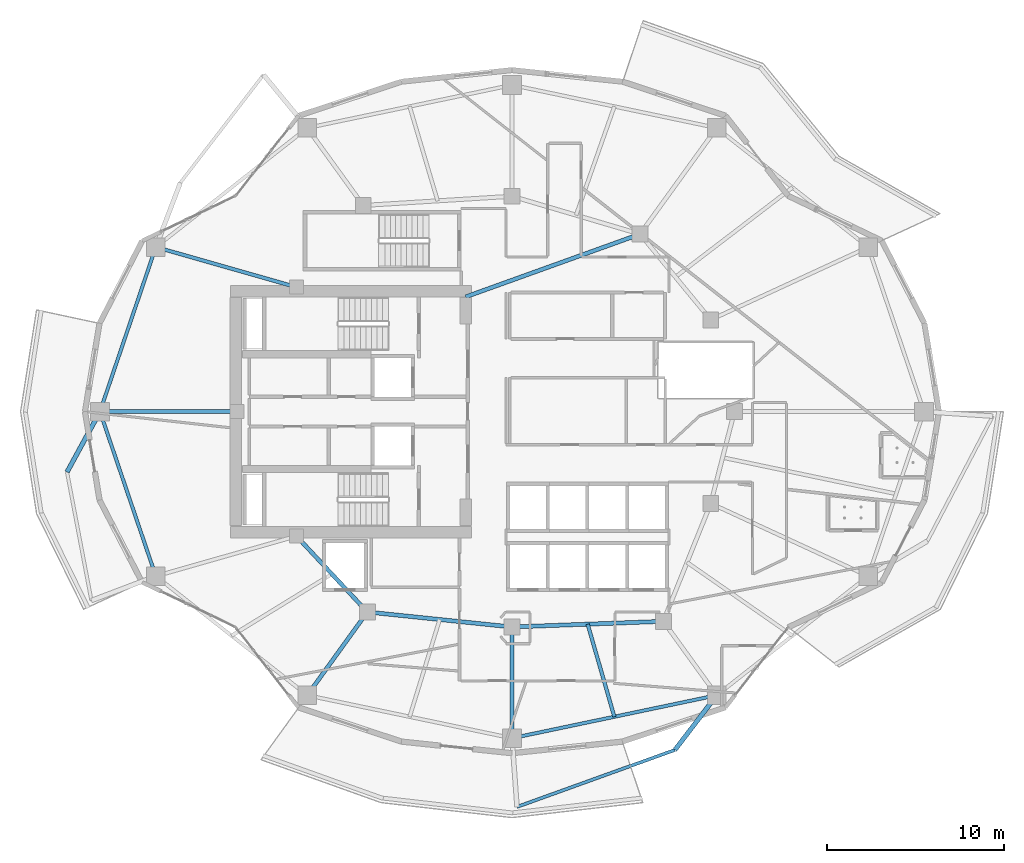
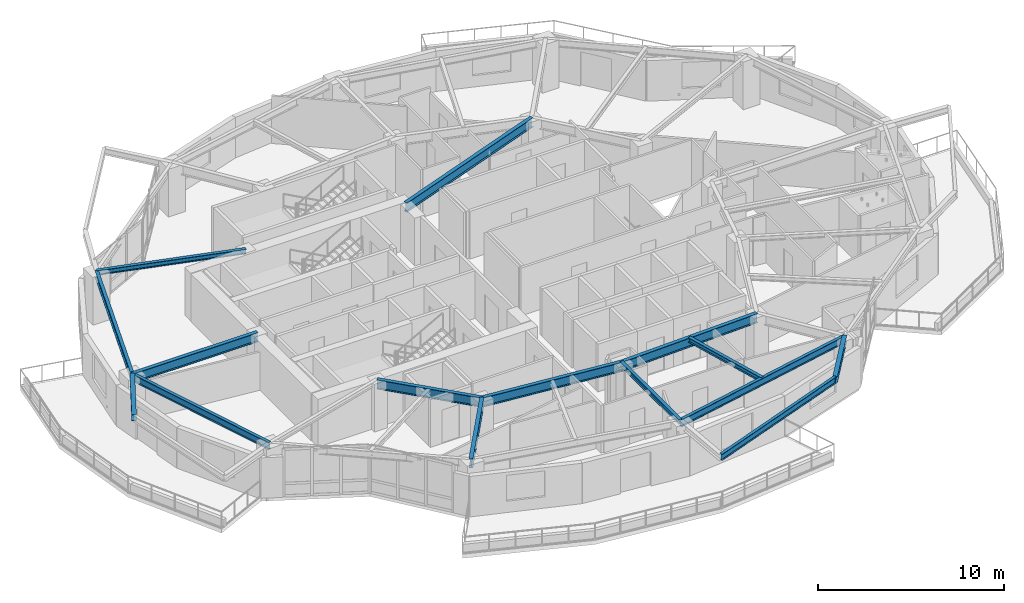
# One storey, part 3 of 18: 15 beams.
"""IFC4 building model written with IfcOpenShell, lengths in metres."""

from ifc_helpers import new_model, si_unit, direction, frame, origin, origin_2d, place, context, subcontext, project, spatial, i_section, extrude, material, material_profile, profile_set, type_object, element, save


model = new_model("IFC4")

# Units and contexts
model_context = context("Model", 3, precision=1e-05, world=origin(), true_north=direction((0.0, 1.0)))
body_context = subcontext(model_context, "Body", "Model", "MODEL_VIEW")
ifc_project = project(units=[si_unit("LENGTHUNIT", "METRE"), si_unit("AREAUNIT", "SQUARE_METRE"), si_unit("VOLUMEUNIT", "CUBIC_METRE"), si_unit("PLANEANGLEUNIT", "RADIAN"), si_unit("MASSUNIT", "GRAM", prefix="KILO")], contexts=[model_context])

# Site, building, storey
site_placement = place(None, origin())
site = spatial("IfcSite", under=ifc_project, at=site_placement, CompositionType="ELEMENT")
building_placement = place(site_placement, origin())
building = spatial("IfcBuilding", under=site, at=building_placement, Name="Kolvaren Gate Tower and Convention Centre", CompositionType="ELEMENT")
storey_placement = place(building_placement, frame((0.0, 0.0, 115.5)))
storey = spatial("IfcBuildingStorey", under=building, at=storey_placement, Name="L28", CompositionType="ELEMENT", Elevation=115.5)

# Beams
ifc_material = material(Name="Structural steel ASTM A992 Grade 345 MPa", Category="steel")
ifc_material_profile_1 = material_profile(ifc_material, i_section(OverallWidth=0.260009765625, OverallDepth=0.419921875, WebThickness=0.013427734375, FlangeThickness=0.0224609375, at=origin_2d()), Name="W410X132")
ifc_profile_set_1 = profile_set([ifc_material_profile_1], Name="Structural steel ASTM A992 Grade 345 MPa")
beam_type_1 = type_object("IfcBeamType", Name="STR-BM-W410X132", PredefinedType="BEAM", material=ifc_profile_set_1)
beam_1_placement = place(storey_placement, frame((6.78759765625, 27.0, 2.92041015625), z_axis=(-0.478878445754, -0.877881218726, 0.0), x_axis=(0.877881218726, -0.478878445754, 0.0)))
element("IfcBeam", 1, at=beam_1_placement, inside=storey, type_object=beam_type_1, Name="Tower L29 Planted Balcony Outrigger Cantilever BC-2A", PredefinedType="BEAM", context=body_context, shape_type="SweptSolid", body=[
    extrude(i_section(OverallWidth=0.260009765625, OverallDepth=0.419921875, WebThickness=0.013427734375, FlangeThickness=0.0224609375, at=origin_2d()), origin(), (0.0, 0.0, 1.0), 3.900146484375),
])
beam_2_placement = place(storey_placement, frame((41.721435546875, 10.931640625, 2.92041015625), z_axis=(-0.607684772981, -0.794178328014, 0.0), x_axis=(0.794178328014, -0.607684772981, 0.0)))
element("IfcBeam", 2, at=beam_2_placement, inside=storey, type_object=beam_type_1, Name="Tower L29 Planted Balcony Outrigger Cantilever BC-3B", PredefinedType="BEAM", context=body_context, shape_type="SweptSolid", body=[
    extrude(i_section(OverallWidth=0.260009765625, OverallDepth=0.419921875, WebThickness=0.013427734375, FlangeThickness=0.0224609375, at=origin_2d()), origin(), (0.0, 0.0, 1.0), 3.89990234375),
])
ifc_material_profile_2 = material_profile(ifc_material, i_section(OverallWidth=0.22998046875, OverallDepth=0.616943359375, WebThickness=0.01318359375, FlangeThickness=0.022216796875, at=origin_2d()), Name="W610X140")
ifc_profile_set_2 = profile_set([ifc_material_profile_2], Name="Structural steel ASTM A992 Grade 345 MPa")
beam_type_2 = type_object("IfcBeamType", Name="STR-BM-W610X140", PredefinedType="BEAM", material=ifc_profile_set_2)
beam_3_placement = place(storey_placement, frame((17.9140625, 19.949951171875, 2.821533203125), z_axis=(0.682557592987, -0.730831808459, 0.0), x_axis=(0.730831808459, 0.682557592987, 0.0)))
element("IfcBeam", 3, at=beam_3_placement, inside=storey, type_object=beam_type_2, Name="Tower L28 Primary Ring Girder G-06", PredefinedType="BEAM", context=body_context, shape_type="SweptSolid", body=[
    extrude(i_section(OverallWidth=0.22998046875, OverallDepth=0.616943359375, WebThickness=0.01318359375, FlangeThickness=0.022216796875, at=origin_2d()), origin(), (0.0, 0.0, 1.0), 5.88671875),
])
beam_4_placement = place(storey_placement, frame((21.93212890625, 15.647705078125, 2.821533203125), z_axis=(0.994690329115, -0.102913308978, 0.0), x_axis=(0.102913308978, 0.994690329115, 0.0)))
element("IfcBeam", 4, at=beam_4_placement, inside=storey, type_object=beam_type_2, Name="Tower L28 Primary Ring Girder G-07", PredefinedType="BEAM", context=body_context, shape_type="SweptSolid", body=[
    extrude(i_section(OverallWidth=0.22998046875, OverallDepth=0.616943359375, WebThickness=0.01318359375, FlangeThickness=0.022216796875, at=origin_2d()), origin(), (0.0, 0.0, 1.0), 8.236572265625),
])
beam_5_placement = place(storey_placement, frame((30.125, 14.800048828125, 2.821533203125), z_axis=(0.999301712453, 0.037364254142, 0.0), x_axis=(-0.037364254142, 0.999301712453, 0.0)))
element("IfcBeam", 5, at=beam_5_placement, inside=storey, type_object=beam_type_2, Name="Tower L28 Primary Ring Girder G-08", PredefinedType="BEAM", context=body_context, shape_type="SweptSolid", body=[
    extrude(i_section(OverallWidth=0.22998046875, OverallDepth=0.616943359375, WebThickness=0.01318359375, FlangeThickness=0.022216796875, at=origin_2d()), origin(), (0.0, 0.0, 1.0), 8.579345703125),
])
beam_6_placement = place(storey_placement, frame((27.5, 33.5, 2.821533203125), z_axis=(0.940961479908, 0.338513653093, 0.0), x_axis=(-0.338513653093, 0.940961479908, 0.0)))
element("IfcBeam", 6, at=beam_6_placement, inside=storey, type_object=beam_type_2, Name="Tower L28 Primary Ring Girder G-10", PredefinedType="BEAM", context=body_context, shape_type="SweptSolid", body=[
    extrude(i_section(OverallWidth=0.22998046875, OverallDepth=0.616943359375, WebThickness=0.01318359375, FlangeThickness=0.022216796875, at=origin_2d()), origin(), (0.0, 0.0, 1.0), 10.501708984375),
])
beam_7_placement = place(storey_placement, frame((14.550048828125, 27.0, 2.821533203125), z_axis=(-1.0, 0.0, 0.0), x_axis=(0.0, -1.0, 0.0)))
element("IfcBeam", 7, at=beam_7_placement, inside=storey, type_object=beam_type_2, Name="Tower L28 Radial Floor Girder RB-07", PredefinedType="BEAM", context=body_context, shape_type="SweptSolid", body=[
    extrude(i_section(OverallWidth=0.22998046875, OverallDepth=0.616943359375, WebThickness=0.01318359375, FlangeThickness=0.022216796875, at=origin_2d()), origin(), (0.0, 0.0, 1.0), 7.762451171875),
])
beam_8_placement = place(storey_placement, frame((21.93212890625, 15.647705078125, 2.821533203125), z_axis=(-0.585210043569, -0.810881745328, 0.0), x_axis=(0.810881745328, -0.585210043569, 0.0)))
element("IfcBeam", 8, at=beam_8_placement, inside=storey, type_object=beam_type_2, Name="Tower L28 Radial Floor Girder RB-09", PredefinedType="BEAM", context=body_context, shape_type="SweptSolid", body=[
    extrude(i_section(OverallWidth=0.22998046875, OverallDepth=0.616943359375, WebThickness=0.01318359375, FlangeThickness=0.022216796875, at=origin_2d()), origin(), (0.0, 0.0, 1.0), 5.81591796875),
])
ifc_material_profile_3 = material_profile(ifc_material, i_section(OverallWidth=0.205078125, OverallDepth=0.31005859375, WebThickness=0.009521484375, FlangeThickness=0.016357421875, at=origin_2d()), Name="W310X74")
ifc_profile_set_3 = profile_set([ifc_material_profile_3], Name="Structural steel ASTM A992 Grade 345 MPa")
beam_type_3 = type_object("IfcBeamType", Name="STR-JS-W310X74", PredefinedType="JOIST", material=ifc_profile_set_3)
beam_9_placement = place(storey_placement, frame((17.9140625, 34.050048828125, 2.97509765625), z_axis=(-0.961746134311, 0.27394228067, 0.0), x_axis=(-0.27394228067, -0.961746134311, 0.0)))
element("IfcBeam", 9, at=beam_9_placement, inside=storey, type_object=beam_type_3, Name="Tower L28 Radial Floor Girder RB-06", PredefinedType="JOIST", context=body_context, shape_type="SweptSolid", body=[
    extrude(i_section(OverallWidth=0.205078125, OverallDepth=0.31005859375, WebThickness=0.009521484375, FlangeThickness=0.016357421875, at=origin_2d()), origin(), (0.0, 0.0, 1.0), 8.28125),
])
beam_10_placement = place(storey_placement, frame((30.125, 14.800048828125, 2.97509765625), z_axis=(0.0, -1.0, 0.0), x_axis=(1.0, 0.0, 0.0)))
element("IfcBeam", 10, at=beam_10_placement, inside=storey, type_object=beam_type_3, Name="Tower L28 Radial Floor Girder RB-10", PredefinedType="JOIST", context=body_context, shape_type="SweptSolid", body=[
    extrude(i_section(OverallWidth=0.205078125, OverallDepth=0.31005859375, WebThickness=0.009521484375, FlangeThickness=0.016357421875, at=origin_2d()), origin(), (0.0, 0.0, 1.0), 6.300048828125),
])
beam_11_placement = place(storey_placement, frame((34.41162109375, 14.960205078125, 2.97509765625), z_axis=(0.27693589933, -0.960888395009, 0.0), x_axis=(0.960888395009, 0.27693589933, 0.0)))
element("IfcBeam", 11, at=beam_11_placement, inside=storey, type_object=beam_type_3, Name="Tower L28 Secondary Composite Floor Joist J-10.1", PredefinedType="JOIST", context=body_context, shape_type="SweptSolid", body=[
    extrude(i_section(OverallWidth=0.205078125, OverallDepth=0.31005859375, WebThickness=0.009521484375, FlangeThickness=0.016357421875, at=origin_2d()), origin(), (0.0, 0.0, 1.0), 5.457763671875),
])
ifc_material_profile_4 = material_profile(ifc_material, i_section(OverallWidth=0.180908203125, OverallDepth=0.4169921875, WebThickness=0.010986328125, FlangeThickness=0.018310546875, at=origin_2d()), Name="W410X85")
ifc_profile_set_4 = profile_set([ifc_material_profile_4], Name="Structural steel ASTM A992 Grade 345 MPa")
beam_type_4 = type_object("IfcBeamType", Name="STR-SP-W410X85", PredefinedType="SPANDREL", material=ifc_profile_set_4)
beam_12_placement = place(storey_placement, frame((30.4091796875, 4.6103515625, 2.922119140625), z_axis=(0.940724254556, 0.339172340987, 0.0), x_axis=(-0.339172340987, 0.940724254556, 0.0)))
element("IfcBeam", 12, at=beam_12_placement, inside=storey, type_object=beam_type_4, Name="Tower L29 Planted Balcony Header Tie Beam BT-3", PredefinedType="SPANDREL", context=body_context, shape_type="SweptSolid", body=[
    extrude(i_section(OverallWidth=0.180908203125, OverallDepth=0.4169921875, WebThickness=0.010986328125, FlangeThickness=0.018310546875, at=origin_2d()), origin(), (0.0, 0.0, 1.0), 9.505859375),
])
ifc_material_profile_5 = material_profile(ifc_material, i_section(OverallWidth=0.194091796875, OverallDepth=0.468994140625, WebThickness=0.0126953125, FlangeThickness=0.0205078125, at=origin_2d()), Name="W460X106")
ifc_profile_set_5 = profile_set([ifc_material_profile_5], Name="Structural steel ASTM A992 Grade 345 MPa")
beam_type_5 = type_object("IfcBeamType", Name="STR-SP-W460X106", PredefinedType="SPANDREL", material=ifc_profile_set_5)
for number, where, z_axis, x_axis, name in (
    (13, (9.94970703125, 36.318603515625, 2.8955078125), (-0.321336471485, -0.946965084939, 0.0), (0.946965084939, -0.321336471485, 0.0), "Tower L28 Perimeter Spandrel Beam SP-06"),
    (14, (6.78759765625, 27.0, 2.8955078125), (0.321336471485, -0.946965084939, 0.0), (0.946965084939, 0.321336471485, 0.0), "Tower L28 Perimeter Spandrel Beam SP-07"),
):
    element("IfcBeam", number, at=place(storey_placement, frame(where, z_axis=z_axis, x_axis=x_axis)), inside=storey, type_object=beam_type_5, Name=name, PredefinedType="SPANDREL", context=body_context, shape_type="SweptSolid", body=[
        extrude(i_section(OverallWidth=0.194091796875, OverallDepth=0.468994140625, WebThickness=0.0126953125, FlangeThickness=0.0205078125, at=origin_2d()), origin(), (0.0, 0.0, 1.0), 9.840576171875),
    ])
beam_13_placement = place(storey_placement, frame((30.125, 8.5, 2.8955078125), z_axis=(0.978714746947, 0.205225349578, 0.0), x_axis=(-0.205225349578, 0.978714746947, 0.0)))
element("IfcBeam", 15, at=beam_13_placement, inside=storey, type_object=beam_type_5, Name="Tower L28 Perimeter Spandrel Beam SP-10", PredefinedType="SPANDREL", context=body_context, shape_type="SweptSolid", body=[
    extrude(i_section(OverallWidth=0.194091796875, OverallDepth=0.468994140625, WebThickness=0.0126953125, FlangeThickness=0.0205078125, at=origin_2d()), origin(), (0.0, 0.0, 1.0), 11.8486328125),
])

save(model, "model.ifc")
